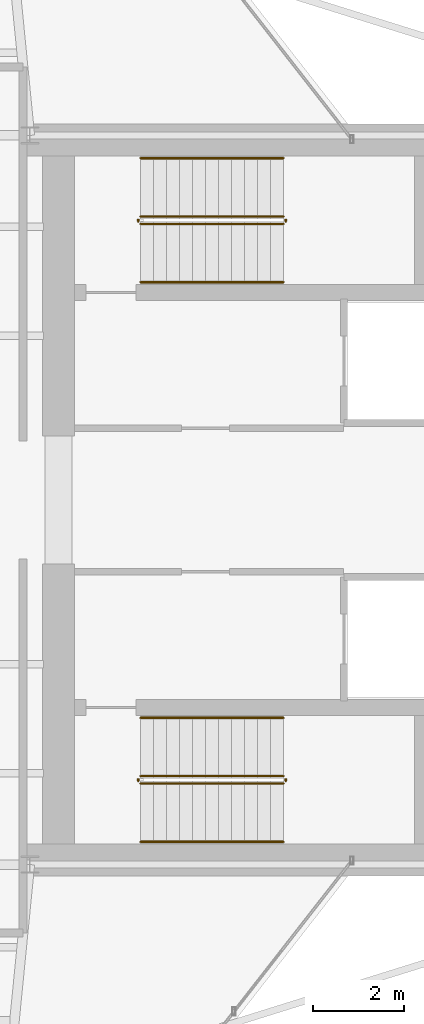
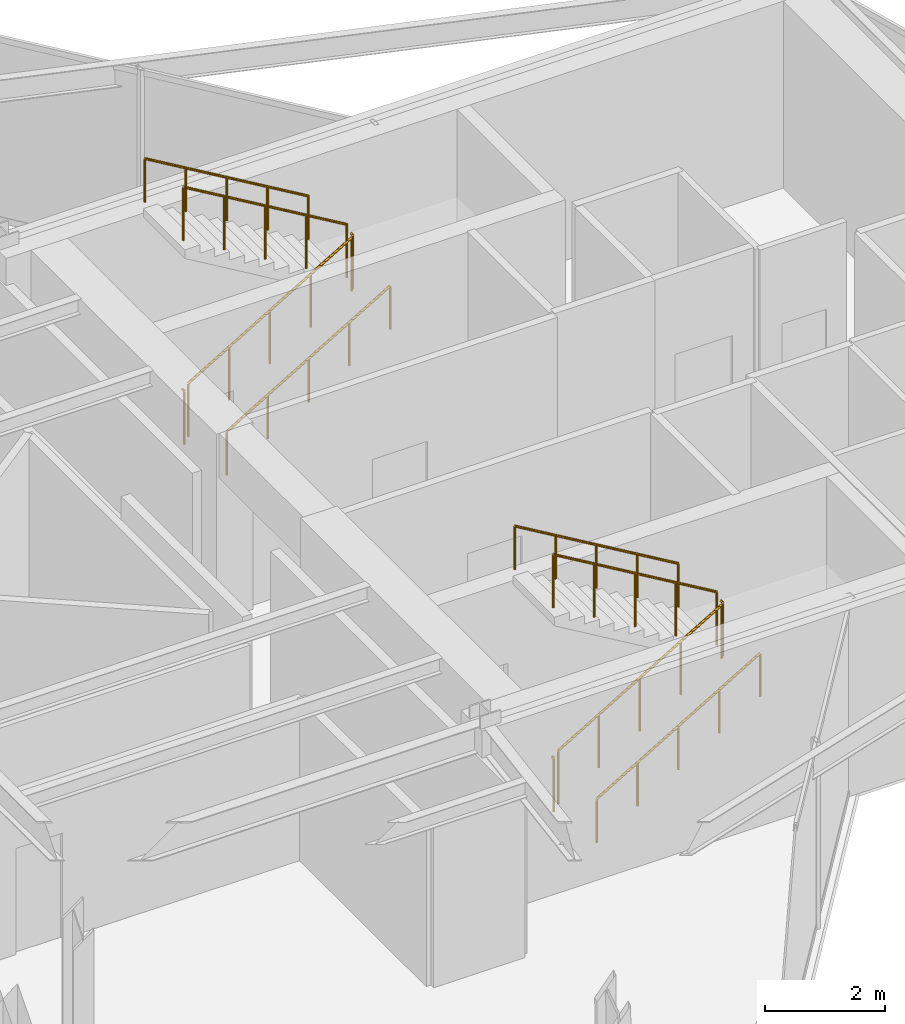
# One storey, part 20 of 20: 12 railings.
"""IFC4 building model written with IfcOpenShell, lengths in metres."""

import ifcopenshell
import ifcopenshell.guid

model = None  # the IFC model being written
_history = None  # IfcOwnerHistory: only IFC2X3 demands one
_inside = {}  # id of a spatial element -> (the spatial element, [elements in it])
_under = {}  # id of a project, library or spatial element -> (it, [spatial elements below it])
_declared = {}  # id of a project -> (the project, [libraries it declares])
_typed = {}  # id of a type object -> (the type object, [elements of that type])
_made_of = {}  # id of a material, layer set ... -> (it, [elements and type objects made of it])


def new_model(schema):
    """Start an empty IFC model of exactly this schema.

    Asked for "IFC4X3", IfcOpenShell would pick the latest addendum, in which some entities
    have other attributes; the version numbers below select the first issue.
    IFC2X3 requires an IfcOwnerHistory on every rooted entity: one is made here for all.
    """
    global model, _history
    if schema == "IFC4X3":
        model = ifcopenshell.file(schema_version=(4, 3, 0, 0))
    else:
        model = ifcopenshell.file(schema=schema)
    _inside.clear()
    _under.clear()
    _declared.clear()
    _typed.clear()
    _made_of.clear()
    _history = None
    if model.schema == "IFC2X3":
        org = make("IfcOrganization", Name="unknown")
        user = make(
            "IfcPersonAndOrganization",
            ThePerson=make("IfcPerson", FamilyName="unknown"),
            TheOrganization=org,
        )
        app = make(
            "IfcApplication",
            ApplicationDeveloper=org,
            Version="unknown",
            ApplicationFullName="unknown",
            ApplicationIdentifier="unknown",
        )
        _history = make(
            "IfcOwnerHistory",
            OwningUser=user,
            OwningApplication=app,
            ChangeAction="ADDED",
            CreationDate=0,
        )
    return model


def make(cls, **values):
    """One entity of the class cls with the attributes given. An attribute that is None is left unset."""
    return model.create_entity(
        cls, **{name: value for name, value in values.items() if value is not None}
    )


def rooted(cls, **values):
    """An entity with a GlobalId (a new one), such as an element, a storey or a relation."""
    return make(cls, GlobalId=ifcopenshell.guid.new(), OwnerHistory=_history, **values)


def si_unit(unit_type, name, prefix=None):
    """IfcSIUnit, for example si_unit("LENGTHUNIT", "METRE", prefix="MILLI")."""
    return make("IfcSIUnit", UnitType=unit_type, Prefix=prefix, Name=name)


def assignment(units):
    """IfcUnitAssignment: the units of a project."""
    return None if units is None else make("IfcUnitAssignment", Units=units)


def point(xyz):
    """IfcCartesianPoint."""
    return None if xyz is None else make("IfcCartesianPoint", Coordinates=xyz)


def direction(xyz):
    """IfcDirection."""
    return None if xyz is None else make("IfcDirection", DirectionRatios=xyz)


def frame(location, z_axis=None, x_axis=None):
    """IfcAxis2Placement3D, a coordinate frame: its origin and axes. An axis left out is left unset."""
    return make(
        "IfcAxis2Placement3D",
        Location=point(location),
        Axis=direction(z_axis),
        RefDirection=direction(x_axis),
    )


def frame_2d(location, x_axis=None):
    """IfcAxis2Placement2D, a coordinate frame in the plane: its origin and x axis."""
    return make(
        "IfcAxis2Placement2D", Location=point(location), RefDirection=direction(x_axis)
    )


def origin():
    """The frame at (0, 0, 0) with its axes left unset."""
    return frame((0.0, 0.0, 0.0))


def origin_2d():
    """The frame at (0, 0) in the plane with its x axis left unset."""
    return frame_2d((0.0, 0.0))


def place(relative_to, where):
    """IfcLocalPlacement: puts the frame where relative to a parent placement (None: the world)."""
    return make(
        "IfcLocalPlacement", PlacementRelTo=relative_to, RelativePlacement=where
    )


def context(
    kind, dimensions, precision=None, world=None, true_north=None, identifier=None
):
    """IfcGeometricRepresentationContext, for example the 3D "Model" context."""
    return make(
        "IfcGeometricRepresentationContext",
        ContextIdentifier=identifier,
        ContextType=kind,
        CoordinateSpaceDimension=dimensions,
        Precision=precision,
        WorldCoordinateSystem=world,
        TrueNorth=true_north,
    )


def subcontext(parent, identifier, kind, view, scale=None):
    """IfcGeometricRepresentationSubContext, for example "Body" below "Model"."""
    return make(
        "IfcGeometricRepresentationSubContext",
        ContextIdentifier=identifier,
        ContextType=kind,
        ParentContext=parent,
        TargetScale=scale,
        TargetView=view,
    )


def project(units=None, contexts=None):
    """IfcProject with its units and contexts."""
    return rooted(
        "IfcProject",
        Name="project",
        RepresentationContexts=contexts,
        UnitsInContext=assignment(units),
    )


def spatial(cls, under=None, at=None, **own):
    """A site, building, storey or space (cls), placed at a placement, below another one or the project."""
    s = rooted(cls, ObjectPlacement=at, **own)
    if under is not None:
        _under.setdefault(under.id(), (under, []))[1].append(s)
    return s


def profile(cls, at=None, kind="AREA", **sizes):
    """A parametric profile (cls). Its sizes go by their IFC names, for example OverallWidth=200.0."""
    return make(cls, ProfileType=kind, Position=at, **sizes)


def circle(**sizes):
    """IfcCircleProfileDef."""
    return profile("IfcCircleProfileDef", **sizes)


def extrude(swept, where, along, depth):
    """IfcExtrudedAreaSolid: the profile swept, set in the frame where, extruded along a direction by depth."""
    return make(
        "IfcExtrudedAreaSolid",
        SweptArea=swept,
        Position=where,
        ExtrudedDirection=direction(along),
        Depth=depth,
    )


def shape(context_of_items, identifier, shape_type, items):
    """IfcShapeRepresentation: the items that make up one representation, for example the "Body"."""
    return make(
        "IfcShapeRepresentation",
        ContextOfItems=context_of_items,
        RepresentationIdentifier=identifier,
        RepresentationType=shape_type,
        Items=items,
    )


def material(Name=None, Category=None):
    """IfcMaterial."""
    return make("IfcMaterial", Name=Name, Category=Category)


def made_of(thing, what):
    """Note that an element or type object is made of a material, layer set ...; save() writes the relation."""
    if what is not None:
        _made_of.setdefault(what.id(), (what, []))[1].append(thing)
    return thing


def type_object(cls, material=None, **own):
    """A type object (cls), such as IfcWallType, which elements share."""
    return made_of(rooted(cls, **own), material)


def element(
    cls,
    number,
    at=None,
    inside=None,
    cuts=None,
    type_object=None,
    material=None,
    context=None,
    identifier="Body",
    shape_type=None,
    held_by="IfcProductDefinitionShape",
    body=None,
    shapes=None,
    **own,
):
    """One element of the class cls, such as IfcWall. Its Tag is "e" and its number.

    at: its placement. inside: the storey or other place that contains it. cuts: it is an
    opening in that element (IfcRelVoidsElement). A single representation is given by context,
    identifier, shape_type and body (its items); several are given by shapes. held_by: the class
    of the entity that holds the representations. save() writes the other relations.
    """
    e = rooted(cls, Tag="e%d" % number, ObjectPlacement=at, **own)
    if body is not None:
        shapes = [shape(context, identifier, shape_type, body)]
    if shapes is not None:
        e.Representation = make(held_by, Representations=shapes)
    if inside is not None:
        _inside.setdefault(inside.id(), (inside, []))[1].append(e)
    if cuts is not None:
        rooted(
            "IfcRelVoidsElement", RelatingBuildingElement=cuts, RelatedOpeningElement=e
        )
    if type_object is not None:
        _typed.setdefault(type_object.id(), (type_object, []))[1].append(e)
    return made_of(e, material)


def aggregate(whole, parts):
    """IfcRelAggregates: a whole, such as a stair, and the parts it consists of."""
    return rooted("IfcRelAggregates", RelatingObject=whole, RelatedObjects=parts)


def save(model, path):
    """Write the relations noted so far, then the file.

    IfcRelAggregates (storeys below a building ...), IfcRelContainedInSpatialStructure (elements
    in a storey), IfcRelDefinesByType, IfcRelAssociatesMaterial and IfcRelDeclares: one each for
    every whole, place, type object, material and project.
    """
    for whole, parts in _under.values():
        aggregate(whole, parts)
    for where, things in _inside.values():
        rooted(
            "IfcRelContainedInSpatialStructure",
            RelatedElements=things,
            RelatingStructure=where,
        )
    for kind, things in _typed.values():
        rooted("IfcRelDefinesByType", RelatedObjects=things, RelatingType=kind)
    for what, things in _made_of.values():
        rooted("IfcRelAssociatesMaterial", RelatedObjects=things, RelatingMaterial=what)
    for by, libraries in _declared.values():
        rooted("IfcRelDeclares", RelatingContext=by, RelatedDefinitions=libraries)
    model.write(path)


model = new_model("IFC4")

# Units and contexts
model_context = context("Model", 3, precision=1e-05, world=origin(), true_north=direction((0.0, 1.0)))
body_context = subcontext(model_context, "Body", "Model", "MODEL_VIEW")
ifc_project = project(units=[si_unit("LENGTHUNIT", "METRE"), si_unit("AREAUNIT", "SQUARE_METRE"), si_unit("VOLUMEUNIT", "CUBIC_METRE"), si_unit("PLANEANGLEUNIT", "RADIAN"), si_unit("MASSUNIT", "GRAM", prefix="KILO")], contexts=[model_context])

# Site, building, storey
site_placement = place(None, origin())
site = spatial("IfcSite", under=ifc_project, at=site_placement, CompositionType="ELEMENT")
building_placement = place(site_placement, origin())
building = spatial("IfcBuilding", under=site, at=building_placement, Name="Veymaron Broadcast Tower", CompositionType="ELEMENT")
storey_placement = place(building_placement, frame((0.0, 0.0, 248.550048828125)))
storey = spatial("IfcBuildingStorey", under=building, at=storey_placement, Name="L58", CompositionType="ELEMENT", Elevation=248.550048828125)

# Railings
ifc_material_1 = material(Name="Brushed stainless steel AISI 304", Category="steel")
railing_type_1 = type_object("IfcRailingType", Name="RAIL-STAIR-HR", PredefinedType="HANDRAIL", material=ifc_material_1)
railing_1_placement = place(storey_placement, frame((41.429931640625, 28.780029296875, 0.168701171875)))
element("IfcRailing", 1, at=railing_1_placement, inside=storey, type_object=railing_type_1, Name="L58 ST1 stair handrail 1", PredefinedType="HANDRAIL", context=body_context, shape_type="SweptSolid", body=[
    extrude(circle(Radius=0.02392578125, at=origin_2d()), frame((0.0, 0.0, 0.8759765625), z_axis=(0.860481960309, 0.0, 0.509480908359), x_axis=(0.0, 1.0, 0.0)), (0.0, 0.0, 1.0), 3.643310546875),
    extrude(circle(Radius=0.02099609375, at=origin_2d()), origin(), (0.0, 0.0, 1.0), 0.851806640625),
    extrude(circle(Radius=0.02099609375, at=origin_2d()), frame((0.78369140625, 0.0, 0.464111328125)), (0.0, 0.0, 1.0), 0.851806640625),
    extrude(circle(Radius=0.02099609375, at=origin_2d()), frame((1.5673828125, 0.0, 0.92822265625)), (0.0, 0.0, 1.0), 0.851806640625),
    extrude(circle(Radius=0.02099609375, at=origin_2d()), frame((2.351318359375, 0.0, 1.39208984375)), (0.0, 0.0, 1.0), 0.851806640625),
    extrude(circle(Radius=0.02099609375, at=origin_2d()), frame((3.135009765625, 0.0, 1.856201171875)), (0.0, 0.0, 1.0), 0.851806640625),
])
railing_2_placement = place(storey_placement, frame((44.56494140625, 31.5, 2.193603515625)))
element("IfcRailing", 2, at=railing_2_placement, inside=storey, type_object=railing_type_1, Name="L58 ST1 stair handrail 2", PredefinedType="HANDRAIL", context=body_context, shape_type="SweptSolid", body=[
    extrude(circle(Radius=0.02392578125, at=origin_2d()), frame((0.0, 0.0, 0.8759765625), z_axis=(-0.860452582533, 0.0, 0.509530522356), x_axis=(0.0, -1.0, 0.0)), (0.0, 0.0, 1.0), 3.6435546875),
    extrude(circle(Radius=0.02099609375, at=origin_2d()), origin(), (0.0, 0.0, 1.0), 0.851806640625),
    extrude(circle(Radius=0.02099609375, at=origin_2d()), frame((-0.78369140625, 0.0, 0.464111328125)), (0.0, 0.0, 1.0), 0.851806640625),
    extrude(circle(Radius=0.02099609375, at=origin_2d()), frame((-1.5673828125, 0.0, 0.92822265625)), (0.0, 0.0, 1.0), 0.851806640625),
    extrude(circle(Radius=0.02099609375, at=origin_2d()), frame((-2.351318359375, 0.0, 1.392333984375)), (0.0, 0.0, 1.0), 0.851806640625),
    extrude(circle(Radius=0.02099609375, at=origin_2d()), frame((-3.135009765625, 0.0, 1.8564453125)), (0.0, 0.0, 1.0), 0.851806640625),
])
railing_3_placement = place(storey_placement, frame((41.429931640625, 16.5, 0.168701171875)))
element("IfcRailing", 3, at=railing_3_placement, inside=storey, type_object=railing_type_1, Name="L58 ST2 stair handrail 1", PredefinedType="HANDRAIL", context=body_context, shape_type="SweptSolid", body=[
    extrude(circle(Radius=0.02392578125, at=origin_2d()), frame((0.0, 0.0, 0.8759765625), z_axis=(0.860481960309, 0.0, 0.509480908359), x_axis=(0.0, 1.0, 0.0)), (0.0, 0.0, 1.0), 3.643310546875),
    extrude(circle(Radius=0.02099609375, at=origin_2d()), origin(), (0.0, 0.0, 1.0), 0.851806640625),
    extrude(circle(Radius=0.02099609375, at=origin_2d()), frame((0.78369140625, 0.0, 0.464111328125)), (0.0, 0.0, 1.0), 0.851806640625),
    extrude(circle(Radius=0.02099609375, at=origin_2d()), frame((1.5673828125, 0.0, 0.92822265625)), (0.0, 0.0, 1.0), 0.851806640625),
    extrude(circle(Radius=0.02099609375, at=origin_2d()), frame((2.351318359375, 0.0, 1.39208984375)), (0.0, 0.0, 1.0), 0.851806640625),
    extrude(circle(Radius=0.02099609375, at=origin_2d()), frame((3.135009765625, 0.0, 1.856201171875)), (0.0, 0.0, 1.0), 0.851806640625),
])
railing_4_placement = place(storey_placement, frame((44.56494140625, 19.219970703125, 2.193603515625)))
element("IfcRailing", 4, at=railing_4_placement, inside=storey, type_object=railing_type_1, Name="L58 ST2 stair handrail 2", PredefinedType="HANDRAIL", context=body_context, shape_type="SweptSolid", body=[
    extrude(circle(Radius=0.02392578125, at=origin_2d()), frame((0.0, 0.0, 0.8759765625), z_axis=(-0.860452582533, 0.0, 0.509530522356), x_axis=(0.0, -1.0, 0.0)), (0.0, 0.0, 1.0), 3.6435546875),
    extrude(circle(Radius=0.02099609375, at=origin_2d()), origin(), (0.0, 0.0, 1.0), 0.851806640625),
    extrude(circle(Radius=0.02099609375, at=origin_2d()), frame((-0.78369140625, 0.0, 0.464111328125)), (0.0, 0.0, 1.0), 0.851806640625),
    extrude(circle(Radius=0.02099609375, at=origin_2d()), frame((-1.5673828125, 0.0, 0.92822265625)), (0.0, 0.0, 1.0), 0.851806640625),
    extrude(circle(Radius=0.02099609375, at=origin_2d()), frame((-2.351318359375, 0.0, 1.392333984375)), (0.0, 0.0, 1.0), 0.851806640625),
    extrude(circle(Radius=0.02099609375, at=origin_2d()), frame((-3.135009765625, 0.0, 1.8564453125)), (0.0, 0.0, 1.0), 0.851806640625),
])
ifc_material_2 = material(Name="Painted galvanized steel balustrade", Category="steel")
railing_type_2 = type_object("IfcRailingType", Name="RAIL-WELL-GRD", PredefinedType="GUARDRAIL", material=ifc_material_2)
railing_5_placement = place(storey_placement, frame((41.429931640625, 30.06005859375, 0.168701171875)))
element("IfcRailing", 5, at=railing_5_placement, inside=storey, type_object=railing_type_2, Name="L58 ST1 stair guard 1", PredefinedType="GUARDRAIL", context=body_context, shape_type="SweptSolid", body=[
    extrude(circle(Radius=0.02392578125, at=origin_2d()), frame((0.0, 0.0, 1.076171875), z_axis=(0.860481960309, 0.0, 0.509480908359), x_axis=(0.0, 1.0, 0.0)), (0.0, 0.0, 1.0), 3.643310546875),
    extrude(circle(Radius=0.02099609375, at=origin_2d()), origin(), (0.0, 0.0, 1.0), 1.052001953125),
    extrude(circle(Radius=0.02099609375, at=origin_2d()), frame((0.78369140625, 0.0, 0.464111328125)), (0.0, 0.0, 1.0), 1.052001953125),
    extrude(circle(Radius=0.02099609375, at=origin_2d()), frame((1.5673828125, 0.0, 0.92822265625)), (0.0, 0.0, 1.0), 1.052001953125),
    extrude(circle(Radius=0.02099609375, at=origin_2d()), frame((2.351318359375, 0.0, 1.39208984375)), (0.0, 0.0, 1.0), 1.052001953125),
    extrude(circle(Radius=0.02099609375, at=origin_2d()), frame((3.135009765625, 0.0, 1.856201171875)), (0.0, 0.0, 1.0), 1.052001953125),
])
railing_6_placement = place(storey_placement, frame((44.614990234375, 30.110107421875, 2.02490234375)))
element("IfcRailing", 6, at=railing_6_placement, inside=storey, type_object=railing_type_2, Name="L58 ST1 stair guard 2", PredefinedType="GUARDRAIL", context=body_context, shape_type="SweptSolid", body=[
    extrude(circle(Radius=0.02392578125, at=origin_2d()), frame((0.0, 0.0, 1.076171875), z_axis=(0.0, 1.0, 0.0), x_axis=(-1.0, 0.0, 0.0)), (0.0, 0.0, 1.0), 0.059814453125),
    extrude(circle(Radius=0.02099609375, at=origin_2d()), origin(), (0.0, 0.0, 1.0), 1.052001953125),
])
railing_7_placement = place(storey_placement, frame((44.56494140625, 30.219970703125, 2.193603515625)))
element("IfcRailing", 7, at=railing_7_placement, inside=storey, type_object=railing_type_2, Name="L58 ST1 stair guard 3", PredefinedType="GUARDRAIL", context=body_context, shape_type="SweptSolid", body=[
    extrude(circle(Radius=0.02392578125, at=origin_2d()), frame((0.0, 0.0, 1.076171875), z_axis=(-0.860452582533, 0.0, 0.509530522356), x_axis=(0.0, -1.0, 0.0)), (0.0, 0.0, 1.0), 3.6435546875),
    extrude(circle(Radius=0.02099609375, at=origin_2d()), origin(), (0.0, 0.0, 1.0), 1.052001953125),
    extrude(circle(Radius=0.02099609375, at=origin_2d()), frame((-0.78369140625, 0.0, 0.464111328125)), (0.0, 0.0, 1.0), 1.052001953125),
    extrude(circle(Radius=0.02099609375, at=origin_2d()), frame((-1.5673828125, 0.0, 0.92822265625)), (0.0, 0.0, 1.0), 1.052001953125),
    extrude(circle(Radius=0.02099609375, at=origin_2d()), frame((-2.351318359375, 0.0, 1.392333984375)), (0.0, 0.0, 1.0), 1.052001953125),
    extrude(circle(Radius=0.02099609375, at=origin_2d()), frame((-3.135009765625, 0.0, 1.8564453125)), (0.0, 0.0, 1.0), 1.052001953125),
])
railing_8_placement = place(storey_placement, frame((41.3798828125, 30.110107421875, 0.0)))
element("IfcRailing", 8, at=railing_8_placement, inside=storey, type_object=railing_type_2, Name="L58 ST1 stair guard 4", PredefinedType="GUARDRAIL", context=body_context, shape_type="SweptSolid", body=[
    extrude(circle(Radius=0.02392578125, at=origin_2d()), frame((0.0, 0.0, 1.076171875), z_axis=(0.0, 1.0, 0.0), x_axis=(-1.0, 0.0, 0.0)), (0.0, 0.0, 1.0), 0.059814453125),
    extrude(circle(Radius=0.02099609375, at=origin_2d()), origin(), (0.0, 0.0, 1.0), 1.052001953125),
])
railing_9_placement = place(storey_placement, frame((41.429931640625, 17.780029296875, 0.168701171875)))
element("IfcRailing", 9, at=railing_9_placement, inside=storey, type_object=railing_type_2, Name="L58 ST2 stair guard 1", PredefinedType="GUARDRAIL", context=body_context, shape_type="SweptSolid", body=[
    extrude(circle(Radius=0.02392578125, at=origin_2d()), frame((0.0, 0.0, 1.076171875), z_axis=(0.860481960309, 0.0, 0.509480908359), x_axis=(0.0, 1.0, 0.0)), (0.0, 0.0, 1.0), 3.643310546875),
    extrude(circle(Radius=0.02099609375, at=origin_2d()), origin(), (0.0, 0.0, 1.0), 1.052001953125),
    extrude(circle(Radius=0.02099609375, at=origin_2d()), frame((0.78369140625, 0.0, 0.464111328125)), (0.0, 0.0, 1.0), 1.052001953125),
    extrude(circle(Radius=0.02099609375, at=origin_2d()), frame((1.5673828125, 0.0, 0.92822265625)), (0.0, 0.0, 1.0), 1.052001953125),
    extrude(circle(Radius=0.02099609375, at=origin_2d()), frame((2.351318359375, 0.0, 1.39208984375)), (0.0, 0.0, 1.0), 1.052001953125),
    extrude(circle(Radius=0.02099609375, at=origin_2d()), frame((3.135009765625, 0.0, 1.856201171875)), (0.0, 0.0, 1.0), 1.052001953125),
])
railing_10_placement = place(storey_placement, frame((44.614990234375, 17.830078125, 2.02490234375)))
element("IfcRailing", 10, at=railing_10_placement, inside=storey, type_object=railing_type_2, Name="L58 ST2 stair guard 2", PredefinedType="GUARDRAIL", context=body_context, shape_type="SweptSolid", body=[
    extrude(circle(Radius=0.02392578125, at=origin_2d()), frame((0.0, 0.0, 1.076171875), z_axis=(0.0, 1.0, 0.0), x_axis=(-1.0, 0.0, 0.0)), (0.0, 0.0, 1.0), 0.059814453125),
    extrude(circle(Radius=0.02099609375, at=origin_2d()), origin(), (0.0, 0.0, 1.0), 1.052001953125),
])
railing_11_placement = place(storey_placement, frame((44.56494140625, 17.93994140625, 2.193603515625)))
element("IfcRailing", 11, at=railing_11_placement, inside=storey, type_object=railing_type_2, Name="L58 ST2 stair guard 3", PredefinedType="GUARDRAIL", context=body_context, shape_type="SweptSolid", body=[
    extrude(circle(Radius=0.02392578125, at=origin_2d()), frame((0.0, 0.0, 1.076171875), z_axis=(-0.860452582533, 0.0, 0.509530522356), x_axis=(0.0, -1.0, 0.0)), (0.0, 0.0, 1.0), 3.6435546875),
    extrude(circle(Radius=0.02099609375, at=origin_2d()), origin(), (0.0, 0.0, 1.0), 1.052001953125),
    extrude(circle(Radius=0.02099609375, at=origin_2d()), frame((-0.78369140625, 0.0, 0.464111328125)), (0.0, 0.0, 1.0), 1.052001953125),
    extrude(circle(Radius=0.02099609375, at=origin_2d()), frame((-1.5673828125, 0.0, 0.92822265625)), (0.0, 0.0, 1.0), 1.052001953125),
    extrude(circle(Radius=0.02099609375, at=origin_2d()), frame((-2.351318359375, 0.0, 1.392333984375)), (0.0, 0.0, 1.0), 1.052001953125),
    extrude(circle(Radius=0.02099609375, at=origin_2d()), frame((-3.135009765625, 0.0, 1.8564453125)), (0.0, 0.0, 1.0), 1.052001953125),
])
railing_12_placement = place(storey_placement, frame((41.3798828125, 17.830078125, 0.0)))
element("IfcRailing", 12, at=railing_12_placement, inside=storey, type_object=railing_type_2, Name="L58 ST2 stair guard 4", PredefinedType="GUARDRAIL", context=body_context, shape_type="SweptSolid", body=[
    extrude(circle(Radius=0.02392578125, at=origin_2d()), frame((0.0, 0.0, 1.076171875), z_axis=(0.0, 1.0, 0.0), x_axis=(-1.0, 0.0, 0.0)), (0.0, 0.0, 1.0), 0.059814453125),
    extrude(circle(Radius=0.02099609375, at=origin_2d()), origin(), (0.0, 0.0, 1.0), 1.052001953125),
])

save(model, "model.ifc")
